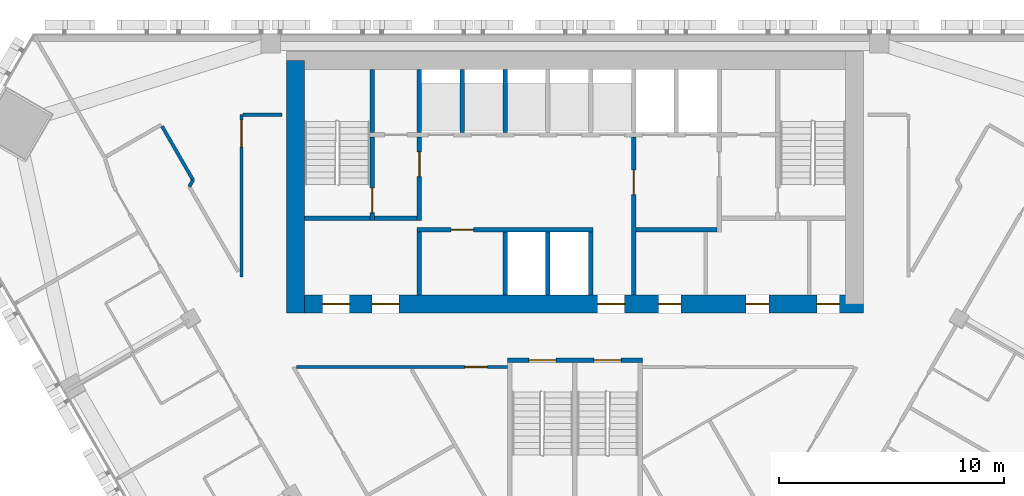
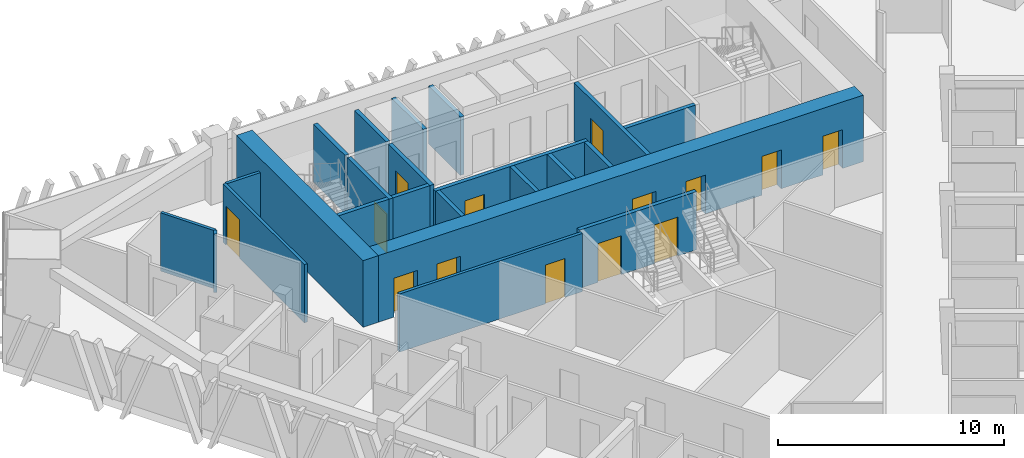
# One storey, part 11 of 16: 23 walls, 14 doors, 14 openings.
"""IFC4 building model written with IfcOpenShell, lengths in metres."""

from ifc_helpers import new_model, si_unit, direction, frame, frame_2d, origin, place, context, subcontext, project, spatial, rectangle, extrude, material, layer, layer_set, type_object, element, fill, save


model = new_model("IFC4")

# Units and contexts
model_context = context("Model", 3, precision=1e-05, world=origin(), true_north=direction((0.0, 1.0)))
body_context = subcontext(model_context, "Body", "Model", "MODEL_VIEW")
ifc_project = project(units=[si_unit("LENGTHUNIT", "METRE"), si_unit("AREAUNIT", "SQUARE_METRE"), si_unit("VOLUMEUNIT", "CUBIC_METRE"), si_unit("PLANEANGLEUNIT", "RADIAN"), si_unit("MASSUNIT", "GRAM", prefix="KILO")], contexts=[model_context])

# Site, building, storey
site_placement = place(None, origin())
site = spatial("IfcSite", under=ifc_project, at=site_placement, CompositionType="ELEMENT")
building_placement = place(site_placement, origin())
building = spatial("IfcBuilding", under=site, at=building_placement, Name="Altiplano Prism Tower", CompositionType="ELEMENT")
storey_placement = place(building_placement, frame((0.0, 0.0, 127.800048828125)))
storey = spatial("IfcBuildingStorey", under=building, at=storey_placement, Name="L32", CompositionType="ELEMENT", Elevation=127.800048828125)

# Wall, openings, doors
ifc_material_1 = material(Name="Concrete C60/75", Category="concrete")
ifc_layer_1 = layer(ifc_material_1, 0.800048828125)
ifc_layer_set_1 = layer_set([ifc_layer_1], Name="Concrete C60/75")
wall_type_1 = type_object("IfcWallType", Name="Core wall 800", PredefinedType="SHEAR", material=ifc_layer_set_1)
wall_1_placement = place(storey_placement, frame((72.60009765625, 93.0, 0.0), z_axis=(0.0, 0.0, 1.0), x_axis=(1.0, 0.0, 0.0)))
wall_1 = element("IfcWall", 1, at=wall_1_placement, inside=storey, type_object=wall_type_1, Name="Core wall S L32", PredefinedType="SHEAR", context=body_context, shape_type="SweptSolid", body=[
    extrude(rectangle(XDim=25.199951171875, YDim=0.800048828125, at=frame_2d((12.60009765625, 0.0))), origin(), (0.0, 0.0, 1.0), 3.599853515625),
])
opening_1_placement = place(wall_1_placement, frame((1.199951171875, 0.0, 0.0)))
opening_1 = element("IfcOpeningElement", 2, at=opening_1_placement, cuts=wall_1, Name="Opening D3016", PredefinedType="OPENING", context=body_context, shape_type="SweptSolid", body=[
    extrude(rectangle(XDim=1.199951171875, YDim=2.10009765625, at=frame_2d((0.60009765625, 1.050048828125))), frame((0.0, 0.41064453125, 0.0), z_axis=(0.0, -1.0, 0.0), x_axis=(1.0, 0.0, 0.0)), (0.0, 0.0, 1.0), 0.821044921875),
])
opening_2_placement = place(wall_1_placement, frame((3.39990234375, 0.0, 0.0)))
opening_2 = element("IfcOpeningElement", 3, at=opening_2_placement, cuts=wall_1, Name="Opening D3017", PredefinedType="OPENING", context=body_context, shape_type="SweptSolid", body=[
    extrude(rectangle(XDim=1.199951171875, YDim=2.10009765625, at=frame_2d((0.60009765625, 1.050048828125))), frame((0.0, 0.41064453125, 0.0), z_axis=(0.0, -1.0, 0.0), x_axis=(1.0, 0.0, 0.0)), (0.0, 0.0, 1.0), 0.821044921875),
])
opening_3_placement = place(wall_1_placement, frame((13.39990234375, 0.0, 0.0)))
opening_3 = element("IfcOpeningElement", 4, at=opening_3_placement, cuts=wall_1, Name="Opening D3018", PredefinedType="OPENING", context=body_context, shape_type="SweptSolid", body=[
    extrude(rectangle(XDim=1.199951171875, YDim=2.10009765625, at=frame_2d((0.60009765625, 1.050048828125))), frame((0.0, 0.41064453125, 0.0), z_axis=(0.0, -1.0, 0.0), x_axis=(1.0, 0.0, 0.0)), (0.0, 0.0, 1.0), 0.821044921875),
])
opening_4_placement = place(wall_1_placement, frame((16.112548828125, 0.0, 0.0)))
opening_4 = element("IfcOpeningElement", 5, at=opening_4_placement, cuts=wall_1, Name="Opening D3021", PredefinedType="OPENING", context=body_context, shape_type="SweptSolid", body=[
    extrude(rectangle(XDim=1.0, YDim=2.10009765625, at=frame_2d((0.5, 1.050048828125))), frame((0.0, 0.41064453125, 0.0), z_axis=(0.0, -1.0, 0.0), x_axis=(1.0, 0.0, 0.0)), (0.0, 0.0, 1.0), 0.821044921875),
])
opening_5_placement = place(wall_1_placement, frame((20.0, 0.0, 0.0)))
opening_5 = element("IfcOpeningElement", 6, at=opening_5_placement, cuts=wall_1, Name="Opening D3022", PredefinedType="OPENING", context=body_context, shape_type="SweptSolid", body=[
    extrude(rectangle(XDim=1.0, YDim=2.10009765625, at=frame_2d((0.5, 1.050048828125))), frame((0.0, 0.41064453125, 0.0), z_axis=(0.0, -1.0, 0.0), x_axis=(1.0, 0.0, 0.0)), (0.0, 0.0, 1.0), 0.821044921875),
])
opening_6_placement = place(wall_1_placement, frame((23.137451171875, 0.0, 0.0)))
opening_6 = element("IfcOpeningElement", 7, at=opening_6_placement, cuts=wall_1, Name="Opening D3023", PredefinedType="OPENING", context=body_context, shape_type="SweptSolid", body=[
    extrude(rectangle(XDim=1.0, YDim=2.10009765625, at=frame_2d((0.5, 1.050048828125))), frame((0.0, 0.41064453125, 0.0), z_axis=(0.0, -1.0, 0.0), x_axis=(1.0, 0.0, 0.0)), (0.0, 0.0, 1.0), 0.821044921875),
])
ifc_material_2 = material(Name="Fire-rated steel door", Category="steel")
door_type_1 = type_object("IfcDoorType", Name="Core room door 1000 x 2100", OperationType="NOTDEFINED", PredefinedType="NOTDEFINED", material=ifc_material_2)
door_1_placement = place(opening_4_placement, origin())
door_1 = element("IfcDoor", 8, at=door_1_placement, inside=storey, type_object=door_type_1, Name="Core room door D3021", OperationType="SINGLE_SWING_RIGHT", OverallHeight=2.10009765625, OverallWidth=1.0, PredefinedType="NOTDEFINED", context=body_context, shape_type="SweptSolid", body=[
    extrude(rectangle(XDim=1.0, YDim=2.10009765625, at=frame_2d((0.5, 1.050048828125))), frame((0.0, 0.02490234375, 0.0), z_axis=(0.0, -1.0, 0.0), x_axis=(1.0, 0.0, 0.0)), (0.0, 0.0, 1.0), 0.050048828125),
])
fill(opening_4, door_1)
door_2_placement = place(opening_5_placement, origin())
door_2 = element("IfcDoor", 9, at=door_2_placement, inside=storey, type_object=door_type_1, Name="Core room door D3022", OperationType="SINGLE_SWING_LEFT", OverallHeight=2.10009765625, OverallWidth=1.0, PredefinedType="NOTDEFINED", context=body_context, shape_type="SweptSolid", body=[
    extrude(rectangle(XDim=1.0, YDim=2.10009765625, at=frame_2d((0.5, 1.050048828125))), frame((0.0, 0.02490234375, 0.0), z_axis=(0.0, -1.0, 0.0), x_axis=(1.0, 0.0, 0.0)), (0.0, 0.0, 1.0), 0.050048828125),
])
fill(opening_5, door_2)
door_3_placement = place(opening_6_placement, origin())
door_3 = element("IfcDoor", 10, at=door_3_placement, inside=storey, type_object=door_type_1, Name="Core room door D3023", OperationType="SINGLE_SWING_RIGHT", OverallHeight=2.10009765625, OverallWidth=1.0, PredefinedType="NOTDEFINED", context=body_context, shape_type="SweptSolid", body=[
    extrude(rectangle(XDim=1.0, YDim=2.10009765625, at=frame_2d((0.5, 1.050048828125))), frame((0.0, 0.02490234375, 0.0), z_axis=(0.0, -1.0, 0.0), x_axis=(1.0, 0.0, 0.0)), (0.0, 0.0, 1.0), 0.050048828125),
])
fill(opening_6, door_3)
door_type_2 = type_object("IfcDoorType", Name="Lobby fire door 1200 x 2100", OperationType="NOTDEFINED", PredefinedType="NOTDEFINED", material=ifc_material_2)
door_4_placement = place(opening_1_placement, origin())
door_4 = element("IfcDoor", 11, at=door_4_placement, inside=storey, type_object=door_type_2, Name="Lobby fire door D3016", OperationType="SINGLE_SWING_RIGHT", OverallHeight=2.10009765625, OverallWidth=1.199951171875, PredefinedType="NOTDEFINED", context=body_context, shape_type="SweptSolid", body=[
    extrude(rectangle(XDim=1.199951171875, YDim=2.10009765625, at=frame_2d((0.60009765625, 1.050048828125))), frame((0.0, 0.02490234375, 0.0), z_axis=(0.0, -1.0, 0.0), x_axis=(1.0, 0.0, 0.0)), (0.0, 0.0, 1.0), 0.050048828125),
])
fill(opening_1, door_4)
door_5_placement = place(opening_2_placement, origin())
door_5 = element("IfcDoor", 12, at=door_5_placement, inside=storey, type_object=door_type_2, Name="Lobby fire door D3017", OperationType="SINGLE_SWING_LEFT", OverallHeight=2.10009765625, OverallWidth=1.199951171875, PredefinedType="NOTDEFINED", context=body_context, shape_type="SweptSolid", body=[
    extrude(rectangle(XDim=1.199951171875, YDim=2.10009765625, at=frame_2d((0.60009765625, 1.050048828125))), frame((0.0, 0.02490234375, 0.0), z_axis=(0.0, -1.0, 0.0), x_axis=(1.0, 0.0, 0.0)), (0.0, 0.0, 1.0), 0.050048828125),
])
fill(opening_2, door_5)
door_6_placement = place(opening_3_placement, origin())
door_6 = element("IfcDoor", 13, at=door_6_placement, inside=storey, type_object=door_type_2, Name="Lobby fire door D3018", OperationType="SINGLE_SWING_RIGHT", OverallHeight=2.10009765625, OverallWidth=1.199951171875, PredefinedType="NOTDEFINED", context=body_context, shape_type="SweptSolid", body=[
    extrude(rectangle(XDim=1.199951171875, YDim=2.10009765625, at=frame_2d((0.60009765625, 1.050048828125))), frame((0.0, 0.02490234375, 0.0), z_axis=(0.0, -1.0, 0.0), x_axis=(1.0, 0.0, 0.0)), (0.0, 0.0, 1.0), 0.050048828125),
])
fill(opening_3, door_6)

# Walls
wall_2_placement = place(storey_placement, frame((72.60009765625, 103.800048828125, 0.0), z_axis=(0.0, 0.0, 1.0), x_axis=(0.0, -1.0, 0.0)))
element("IfcWall", 14, at=wall_2_placement, inside=storey, type_object=wall_type_1, Name="Core wall W L32", PredefinedType="SHEAR", context=body_context, shape_type="SweptSolid", body=[
    extrude(rectangle(XDim=11.199951171875, YDim=0.800048828125, at=frame_2d((5.60009765625, 0.0))), origin(), (0.0, 0.0, 1.0), 3.599853515625),
])
ifc_material_3 = material(Name="Plasterboard on steel stud", Category="steel")
ifc_layer_2 = layer(ifc_material_3, 0.14990234375)
ifc_layer_set_2 = layer_set([ifc_layer_2], Name="Plasterboard on steel stud")
wall_type_2 = type_object("IfcWallType", Name="Partition 150 corridor", PredefinedType="PARTITIONING", material=ifc_layer_set_2)
wall_3_placement = place(storey_placement, frame((72.0, 101.39990234375, 0.0), z_axis=(0.0, 0.0, 1.0), x_axis=(-1.0, 0.0, 0.0)))
element("IfcWall", 15, at=wall_3_placement, inside=storey, type_object=wall_type_2, Name="Partition P06 L32 015", PredefinedType="PARTITIONING", context=body_context, shape_type="SweptSolid", body=[
    extrude(rectangle(XDim=1.72509765625, YDim=0.14990234375, at=frame_2d((0.862548828125, 0.0))), origin(), (0.0, 0.0, 1.0), 3.14990234375),
])

# Wall, opening, door
wall_4_placement = place(storey_placement, frame((70.199951171875, 101.39990234375, 0.0), z_axis=(0.0, 0.0, 1.0), x_axis=(0.0, -1.0, 0.0)))
wall_4 = element("IfcWall", 16, at=wall_4_placement, inside=storey, type_object=wall_type_2, Name="Partition P06 L32 016", PredefinedType="PARTITIONING", context=body_context, shape_type="SweptSolid", body=[
    extrude(rectangle(XDim=7.20703125, YDim=0.14990234375, at=frame_2d((3.603515625, 0.0))), origin(), (0.0, 0.0, 1.0), 3.14990234375),
])
opening_7_placement = place(wall_4_placement, frame((0.242919921875, 0.0, 0.0)))
opening_7 = element("IfcOpeningElement", 17, at=opening_7_placement, cuts=wall_4, Name="Opening D1173", PredefinedType="OPENING", context=body_context, shape_type="SweptSolid", body=[
    extrude(rectangle(XDim=1.199951171875, YDim=2.10009765625, at=frame_2d((0.60009765625, 1.050048828125))), frame((0.0, 0.08544921875, 0.0), z_axis=(0.0, -1.0, 0.0), x_axis=(1.0, 0.0, 0.0)), (0.0, 0.0, 1.0), 0.1708984375),
])
ifc_material_4 = material(Name="Timber", Category="wood")
door_type_3 = type_object("IfcDoorType", Name="Shared room door 1200 x 2100", OperationType="NOTDEFINED", PredefinedType="NOTDEFINED", material=ifc_material_4)
door_7_placement = place(opening_7_placement, origin())
door_7 = element("IfcDoor", 18, at=door_7_placement, inside=storey, type_object=door_type_3, Name="Door D1173", OperationType="SINGLE_SWING_LEFT", OverallHeight=2.10009765625, OverallWidth=1.199951171875, PredefinedType="NOTDEFINED", context=body_context, shape_type="SweptSolid", body=[
    extrude(rectangle(XDim=1.199951171875, YDim=2.10009765625, at=frame_2d((0.60009765625, 1.050048828125))), frame((0.0, 0.02490234375, 0.0), z_axis=(0.0, -1.0, 0.0), x_axis=(1.0, 0.0, 0.0)), (0.0, 0.0, 1.0), 0.050048828125),
])
fill(opening_7, door_7)

# Walls
wall_5_placement = place(storey_placement, frame((67.883056640625, 98.2060546875, 0.0), z_axis=(0.0, 0.0, 1.0), x_axis=(0.499390178911, 0.866377197996, 0.0)))
element("IfcWall", 19, at=wall_5_placement, inside=storey, type_object=wall_type_2, Name="Partition P06 L32 018", PredefinedType="PARTITIONING", context=body_context, shape_type="SweptSolid", body=[
    extrude(rectangle(XDim=0.33935546875, YDim=0.14990234375, at=frame_2d((0.169677734375, 0.0))), origin(), (0.0, 0.0, 1.0), 3.14990234375),
])
wall_6_placement = place(storey_placement, frame((68.052490234375, 98.5, 0.0), z_axis=(0.0, 0.0, 1.0), x_axis=(-0.499991038717, 0.866030577522, 0.0)))
element("IfcWall", 20, at=wall_6_placement, inside=storey, type_object=wall_type_2, Name="Partition P06 L32 019", PredefinedType="PARTITIONING", context=body_context, shape_type="SweptSolid", body=[
    extrude(rectangle(XDim=2.75390625, YDim=0.14990234375, at=frame_2d((1.376953125, 0.0))), origin(), (0.0, 0.0, 1.0), 3.14990234375),
])

# Wall, opening, door
wall_7_placement = place(storey_placement, frame((72.63525390625, 90.199951171875, 0.0), z_axis=(0.0, 0.0, 1.0), x_axis=(1.0, 0.0, 0.0)))
wall_7 = element("IfcWall", 21, at=wall_7_placement, inside=storey, type_object=wall_type_2, Name="Partition P06 L32 021", PredefinedType="PARTITIONING", context=body_context, shape_type="SweptSolid", body=[
    extrude(rectangle(XDim=9.36474609375, YDim=0.14990234375, at=frame_2d((4.682373046875, 0.0))), origin(), (0.0, 0.0, 1.0), 3.14990234375),
])
opening_8_placement = place(wall_7_placement, frame((7.47509765625, 0.0, 0.0)))
opening_8 = element("IfcOpeningElement", 22, at=opening_8_placement, cuts=wall_7, Name="Opening D1138", PredefinedType="OPENING", context=body_context, shape_type="SweptSolid", body=[
    extrude(rectangle(XDim=1.0, YDim=2.10009765625, at=frame_2d((0.5, 1.050048828125))), frame((0.0, 0.08544921875, 0.0), z_axis=(0.0, -1.0, 0.0), x_axis=(1.0, 0.0, 0.0)), (0.0, 0.0, 1.0), 0.1708984375),
])
door_type_4 = type_object("IfcDoorType", Name="Store door 1000 x 2100", OperationType="NOTDEFINED", PredefinedType="NOTDEFINED", material=ifc_material_4)
door_8_placement = place(opening_8_placement, origin())
door_8 = element("IfcDoor", 23, at=door_8_placement, inside=storey, type_object=door_type_4, Name="Door D1138", OperationType="SINGLE_SWING_LEFT", OverallHeight=2.10009765625, OverallWidth=1.0, PredefinedType="NOTDEFINED", context=body_context, shape_type="SweptSolid", body=[
    extrude(rectangle(XDim=1.0, YDim=2.10009765625, at=frame_2d((0.5, 1.050048828125))), frame((0.0, 0.02490234375, 0.0), z_axis=(0.0, -1.0, 0.0), x_axis=(1.0, 0.0, 0.0)), (0.0, 0.0, 1.0), 0.050048828125),
])
fill(opening_8, door_8)

# Walls
ifc_layer_3 = layer(ifc_material_1, 0.199951171875)
ifc_layer_set_3 = layer_set([ifc_layer_3], Name="Concrete C60/75")
wall_type_3 = type_object("IfcWallType", Name="Shaft wall 200", PredefinedType="SOLIDWALL", material=ifc_layer_set_3)
for number, where, z_axis, x_axis, name in (
    (24, (81.89990234375, 93.39990234375, 0.0), (0.0, 0.0, 1.0), (0.0, 1.0, 0.0), "Shaft wall L32"),
    (25, (83.800048828125, 93.39990234375, 0.0), (0.0, 0.0, 1.0), (0.0, 1.0, 0.0), "Shaft wall L32"),
    (26, (85.699951171875, 93.39990234375, 0.0), (0.0, 0.0, 1.0), (0.0, 1.0, 0.0), "Shaft wall L32"),
):
    element("IfcWall", number, at=place(storey_placement, frame(where, z_axis=z_axis, x_axis=x_axis)), inside=storey, type_object=wall_type_3, Name=name, PredefinedType="SOLIDWALL", context=body_context, shape_type="SweptSolid", body=[
        extrude(rectangle(XDim=2.800048828125, YDim=0.199951171875, at=frame_2d((1.39990234375, 0.0))), origin(), (0.0, 0.0, 1.0), 3.14990234375),
    ])

# Wall, opening, door
wall_8_placement = place(storey_placement, frame((78.0, 96.300048828125, 0.0), z_axis=(0.0, 0.0, 1.0), x_axis=(1.0, 0.0, 0.0)))
wall_8 = element("IfcWall", 27, at=wall_8_placement, inside=storey, type_object=wall_type_3, Name="Shaft wall L32", PredefinedType="SOLIDWALL", context=body_context, shape_type="SweptSolid", body=[
    extrude(rectangle(XDim=7.800048828125, YDim=0.199951171875, at=frame_2d((3.89990234375, 0.0))), origin(), (0.0, 0.0, 1.0), 3.14990234375),
])
opening_9_placement = place(wall_8_placement, frame((1.5, 0.0, 0.0)))
opening_9 = element("IfcOpeningElement", 28, at=opening_9_placement, cuts=wall_8, Name="Opening D3024", PredefinedType="OPENING", context=body_context, shape_type="SweptSolid", body=[
    extrude(rectangle(XDim=1.0, YDim=2.10009765625, at=frame_2d((0.5, 1.050048828125))), frame((0.0, 0.1103515625, 0.0), z_axis=(0.0, -1.0, 0.0), x_axis=(1.0, 0.0, 0.0)), (0.0, 0.0, 1.0), 0.220947265625),
])
door_9_placement = place(opening_9_placement, origin())
door_9 = element("IfcDoor", 29, at=door_9_placement, inside=storey, type_object=door_type_1, Name="Core room door D3024", OperationType="SINGLE_SWING_RIGHT", OverallHeight=2.10009765625, OverallWidth=1.0, PredefinedType="NOTDEFINED", context=body_context, shape_type="SweptSolid", body=[
    extrude(rectangle(XDim=1.0, YDim=2.10009765625, at=frame_2d((0.5, 1.050048828125))), frame((0.0, 0.02490234375, 0.0), z_axis=(0.0, -1.0, 0.0), x_axis=(1.0, 0.0, 0.0)), (0.0, 0.0, 1.0), 0.050048828125),
])
fill(opening_9, door_9)

# Walls
for number, where, z_axis, x_axis, name in (
    (30, (78.10009765625, 100.60009765625, 0.0), (0.0, 0.0, 1.0), (0.0, 1.0, 0.0), "Shaft wall L32"),
    (31, (80.0, 100.60009765625, 0.0), (0.0, 0.0, 1.0), (0.0, 1.0, 0.0), "Shaft wall L32"),
    (32, (81.89990234375, 100.60009765625, 0.0), (0.0, 0.0, 1.0), (0.0, 1.0, 0.0), "Shaft wall L32"),
):
    element("IfcWall", number, at=place(storey_placement, frame(where, z_axis=z_axis, x_axis=x_axis)), inside=storey, type_object=wall_type_3, Name=name, PredefinedType="SOLIDWALL", context=body_context, shape_type="SweptSolid", body=[
        extrude(rectangle(XDim=2.7998046875, YDim=0.199951171875, at=frame_2d((1.39990234375, 0.0))), origin(), (0.0, 0.0, 1.0), 3.14990234375),
    ])
ifc_layer_4 = layer(ifc_material_1, 0.199951171875)
ifc_layer_set_4 = layer_set([ifc_layer_4], Name="Concrete C60/75")
wall_type_4 = type_object("IfcWallType", Name="Stair wall 200", PredefinedType="SOLIDWALL", material=ifc_layer_set_4)
wall_9_placement = place(storey_placement, frame((73.0, 96.800048828125, 0.0), z_axis=(0.0, 0.0, 1.0), x_axis=(1.0, 0.0, 0.0)))
element("IfcWall", 33, at=wall_9_placement, inside=storey, type_object=wall_type_4, Name="Stair wall L32", PredefinedType="SOLIDWALL", context=body_context, shape_type="SweptSolid", body=[
    extrude(rectangle(XDim=2.89990234375, YDim=0.199951171875, at=frame_2d((1.449951171875, 0.0))), origin(), (0.0, 0.0, 1.0), 3.14990234375),
])

# Wall, opening, door
wall_10_placement = place(storey_placement, frame((76.0, 96.699951171875, 0.0), z_axis=(0.0, 0.0, 1.0), x_axis=(0.0, 1.0, 0.0)))
wall_10 = element("IfcWall", 34, at=wall_10_placement, inside=storey, type_object=wall_type_4, Name="Stair wall L32", PredefinedType="SOLIDWALL", context=body_context, shape_type="SweptSolid", body=[
    extrude(rectangle(XDim=3.699951171875, YDim=0.199951171875, at=frame_2d((1.85009765625, 0.0))), origin(), (0.0, 0.0, 1.0), 3.14990234375),
])
opening_10_placement = place(wall_10_placement, frame((0.35009765625, 0.0, 0.0)))
opening_10 = element("IfcOpeningElement", 35, at=opening_10_placement, cuts=wall_10, Name="Opening D3011", PredefinedType="OPENING", context=body_context, shape_type="SweptSolid", body=[
    extrude(rectangle(XDim=1.10009765625, YDim=2.10009765625, at=frame_2d((0.550048828125, 1.050048828125))), frame((0.0, 0.1103515625, 0.0), z_axis=(0.0, -1.0, 0.0), x_axis=(1.0, 0.0, 0.0)), (0.0, 0.0, 1.0), 0.220947265625),
])
door_type_5 = type_object("IfcDoorType", Name="Stair fire door 1100 x 2100", OperationType="NOTDEFINED", PredefinedType="NOTDEFINED", material=ifc_material_2)
door_10_placement = place(opening_10_placement, origin())
door_10 = element("IfcDoor", 36, at=door_10_placement, inside=storey, type_object=door_type_5, Name="Stair fire door D3011", OperationType="SINGLE_SWING_RIGHT", OverallHeight=2.10009765625, OverallWidth=1.10009765625, PredefinedType="NOTDEFINED", context=body_context, shape_type="SweptSolid", body=[
    extrude(rectangle(XDim=1.10009765625, YDim=2.10009765625, at=frame_2d((0.550048828125, 1.050048828125))), frame((0.0, 0.02490234375, 0.0), z_axis=(0.0, -1.0, 0.0), x_axis=(1.0, 0.0, 0.0)), (0.0, 0.0, 1.0), 0.050048828125),
])
fill(opening_10, door_10)

# Wall
wall_11_placement = place(storey_placement, frame((76.0, 100.60009765625, 0.0), z_axis=(0.0, 0.0, 1.0), x_axis=(0.0, 1.0, 0.0)))
element("IfcWall", 37, at=wall_11_placement, inside=storey, type_object=wall_type_4, Name="Stair wall L32", PredefinedType="SOLIDWALL", context=body_context, shape_type="SweptSolid", body=[
    extrude(rectangle(XDim=2.7998046875, YDim=0.199951171875, at=frame_2d((1.39990234375, 0.0))), origin(), (0.0, 0.0, 1.0), 3.14990234375),
])

# Wall, openings, doors
wall_12_placement = place(storey_placement, frame((82.0, 90.5, 0.0), z_axis=(0.0, 0.0, 1.0), x_axis=(1.0, 0.0, 0.0)))
wall_12 = element("IfcWall", 38, at=wall_12_placement, inside=storey, type_object=wall_type_4, Name="Stair 3 wall north L32", PredefinedType="SOLIDWALL", context=body_context, shape_type="SweptSolid", body=[
    extrude(rectangle(XDim=6.0, YDim=0.199951171875, at=frame_2d((3.0, 0.0))), origin(), (0.0, 0.0, 1.0), 3.14990234375),
])
opening_11_placement = place(wall_12_placement, frame((0.949951171875, 0.0, 0.0)))
opening_11 = element("IfcOpeningElement", 39, at=opening_11_placement, cuts=wall_12, Name="Opening D3986", PredefinedType="OPENING", context=body_context, shape_type="SweptSolid", body=[
    extrude(rectangle(XDim=1.199951171875, YDim=2.10009765625, at=frame_2d((0.60009765625, 1.050048828125))), frame((0.0, 0.1103515625, 0.0), z_axis=(0.0, -1.0, 0.0), x_axis=(1.0, 0.0, 0.0)), (0.0, 0.0, 1.0), 0.220947265625),
])
opening_12_placement = place(wall_12_placement, frame((3.85009765625, 0.0, 0.0)))
opening_12 = element("IfcOpeningElement", 40, at=opening_12_placement, cuts=wall_12, Name="Opening D3987", PredefinedType="OPENING", context=body_context, shape_type="SweptSolid", body=[
    extrude(rectangle(XDim=1.199951171875, YDim=2.10009765625, at=frame_2d((0.60009765625, 1.050048828125))), frame((0.0, 0.1103515625, 0.0), z_axis=(0.0, -1.0, 0.0), x_axis=(1.0, 0.0, 0.0)), (0.0, 0.0, 1.0), 0.220947265625),
])
door_type_6 = type_object("IfcDoorType", Name="Stair fire door 1200 x 2100", OperationType="NOTDEFINED", PredefinedType="NOTDEFINED", material=ifc_material_2)
door_11_placement = place(opening_11_placement, origin())
door_11 = element("IfcDoor", 41, at=door_11_placement, inside=storey, type_object=door_type_6, Name="Stair fire door D3986", OperationType="SINGLE_SWING_LEFT", OverallHeight=2.10009765625, OverallWidth=1.199951171875, PredefinedType="NOTDEFINED", context=body_context, shape_type="SweptSolid", body=[
    extrude(rectangle(XDim=1.199951171875, YDim=2.10009765625, at=frame_2d((0.60009765625, 1.050048828125))), frame((0.0, 0.02490234375, 0.0), z_axis=(0.0, -1.0, 0.0), x_axis=(1.0, 0.0, 0.0)), (0.0, 0.0, 1.0), 0.050048828125),
])
fill(opening_11, door_11)
door_12_placement = place(opening_12_placement, origin())
door_12 = element("IfcDoor", 42, at=door_12_placement, inside=storey, type_object=door_type_6, Name="Stair fire door D3987", OperationType="SINGLE_SWING_LEFT", OverallHeight=2.10009765625, OverallWidth=1.199951171875, PredefinedType="NOTDEFINED", context=body_context, shape_type="SweptSolid", body=[
    extrude(rectangle(XDim=1.199951171875, YDim=2.10009765625, at=frame_2d((0.60009765625, 1.050048828125))), frame((0.0, 0.02490234375, 0.0), z_axis=(0.0, -1.0, 0.0), x_axis=(1.0, 0.0, 0.0)), (0.0, 0.0, 1.0), 0.050048828125),
])
fill(opening_12, door_12)

# Wall
ifc_layer_5 = layer(ifc_material_1, 0.199951171875)
ifc_layer_set_5 = layer_set([ifc_layer_5], Name="Concrete C60/75")
wall_type_5 = type_object("IfcWallType", Name="Vestibule wall 200", PredefinedType="PARTITIONING", material=ifc_layer_set_5)
wall_13_placement = place(storey_placement, frame((78.10009765625, 93.39990234375, 0.0), z_axis=(0.0, 0.0, 1.0), x_axis=(0.0, 1.0, 0.0)))
element("IfcWall", 43, at=wall_13_placement, inside=storey, type_object=wall_type_5, Name="Vestibule wall L32", PredefinedType="PARTITIONING", context=body_context, shape_type="SweptSolid", body=[
    extrude(rectangle(XDim=2.800048828125, YDim=0.199951171875, at=frame_2d((1.39990234375, 0.0))), origin(), (0.0, 0.0, 1.0), 3.14990234375),
])

# Wall, opening, door
wall_14_placement = place(storey_placement, frame((87.60009765625, 93.39990234375, 0.0), z_axis=(0.0, 0.0, 1.0), x_axis=(0.0, 1.0, 0.0)))
wall_14 = element("IfcWall", 44, at=wall_14_placement, inside=storey, type_object=wall_type_5, Name="Vestibule wall L32", PredefinedType="PARTITIONING", context=body_context, shape_type="SweptSolid", body=[
    extrude(rectangle(XDim=7.0, YDim=0.199951171875, at=frame_2d((3.5, 0.0))), origin(), (0.0, 0.0, 1.0), 3.14990234375),
])
opening_13_placement = place(wall_14_placement, frame((4.449951171875, 0.0, 0.0)))
opening_13 = element("IfcOpeningElement", 45, at=opening_13_placement, cuts=wall_14, Name="Opening D3014", PredefinedType="OPENING", context=body_context, shape_type="SweptSolid", body=[
    extrude(rectangle(XDim=1.10009765625, YDim=2.10009765625, at=frame_2d((0.550048828125, 1.050048828125))), frame((0.0, 0.1103515625, 0.0), z_axis=(0.0, -1.0, 0.0), x_axis=(1.0, 0.0, 0.0)), (0.0, 0.0, 1.0), 0.220947265625),
])
door_type_7 = type_object("IfcDoorType", Name="Vestibule fire door 1100 x 2100", OperationType="NOTDEFINED", PredefinedType="NOTDEFINED", material=ifc_material_2)
door_13_placement = place(opening_13_placement, origin())
door_13 = element("IfcDoor", 46, at=door_13_placement, inside=storey, type_object=door_type_7, Name="Vestibule fire door D3014", OperationType="SINGLE_SWING_RIGHT", OverallHeight=2.10009765625, OverallWidth=1.10009765625, PredefinedType="NOTDEFINED", context=body_context, shape_type="SweptSolid", body=[
    extrude(rectangle(XDim=1.10009765625, YDim=2.10009765625, at=frame_2d((0.550048828125, 1.050048828125))), frame((0.0, 0.02490234375, 0.0), z_axis=(0.0, -1.0, 0.0), x_axis=(1.0, 0.0, 0.0)), (0.0, 0.0, 1.0), 0.050048828125),
])
fill(opening_13, door_13)

# Walls
wall_15_placement = place(storey_placement, frame((87.699951171875, 96.300048828125, 0.0), z_axis=(0.0, 0.0, 1.0), x_axis=(1.0, 0.0, 0.0)))
element("IfcWall", 47, at=wall_15_placement, inside=storey, type_object=wall_type_5, Name="Vestibule wall L32", PredefinedType="PARTITIONING", context=body_context, shape_type="SweptSolid", body=[
    extrude(rectangle(XDim=3.60009765625, YDim=0.199951171875, at=frame_2d((1.800048828125, 0.0))), origin(), (0.0, 0.0, 1.0), 3.14990234375),
])
wall_16_placement = place(storey_placement, frame((76.10009765625, 96.800048828125, 0.0), z_axis=(0.0, 0.0, 1.0), x_axis=(1.0, 0.0, 0.0)))
element("IfcWall", 48, at=wall_16_placement, inside=storey, type_object=wall_type_5, Name="Vestibule wall L32", PredefinedType="PARTITIONING", context=body_context, shape_type="SweptSolid", body=[
    extrude(rectangle(XDim=1.89990234375, YDim=0.199951171875, at=frame_2d((0.949951171875, 0.0))), origin(), (0.0, 0.0, 1.0), 3.14990234375),
])

# Wall, opening, door
wall_17_placement = place(storey_placement, frame((78.10009765625, 96.699951171875, 0.0), z_axis=(0.0, 0.0, 1.0), x_axis=(0.0, 1.0, 0.0)))
wall_17 = element("IfcWall", 49, at=wall_17_placement, inside=storey, type_object=wall_type_5, Name="Vestibule wall L32", PredefinedType="PARTITIONING", context=body_context, shape_type="SweptSolid", body=[
    extrude(rectangle(XDim=3.699951171875, YDim=0.199951171875, at=frame_2d((1.85009765625, 0.0))), origin(), (0.0, 0.0, 1.0), 3.14990234375),
])
opening_14_placement = place(wall_17_placement, frame((1.949951171875, 0.0, 0.0)))
opening_14 = element("IfcOpeningElement", 50, at=opening_14_placement, cuts=wall_17, Name="Opening D3013", PredefinedType="OPENING", context=body_context, shape_type="SweptSolid", body=[
    extrude(rectangle(XDim=1.10009765625, YDim=2.10009765625, at=frame_2d((0.550048828125, 1.050048828125))), frame((0.0, 0.1103515625, 0.0), z_axis=(0.0, -1.0, 0.0), x_axis=(1.0, 0.0, 0.0)), (0.0, 0.0, 1.0), 0.220947265625),
])
door_14_placement = place(opening_14_placement, origin())
door_14 = element("IfcDoor", 51, at=door_14_placement, inside=storey, type_object=door_type_7, Name="Vestibule fire door D3013", OperationType="SINGLE_SWING_LEFT", OverallHeight=2.10009765625, OverallWidth=1.10009765625, PredefinedType="NOTDEFINED", context=body_context, shape_type="SweptSolid", body=[
    extrude(rectangle(XDim=1.10009765625, YDim=2.10009765625, at=frame_2d((0.550048828125, 1.050048828125))), frame((0.0, 0.02490234375, 0.0), z_axis=(0.0, -1.0, 0.0), x_axis=(1.0, 0.0, 0.0)), (0.0, 0.0, 1.0), 0.050048828125),
])
fill(opening_14, door_14)

save(model, "model.ifc")
